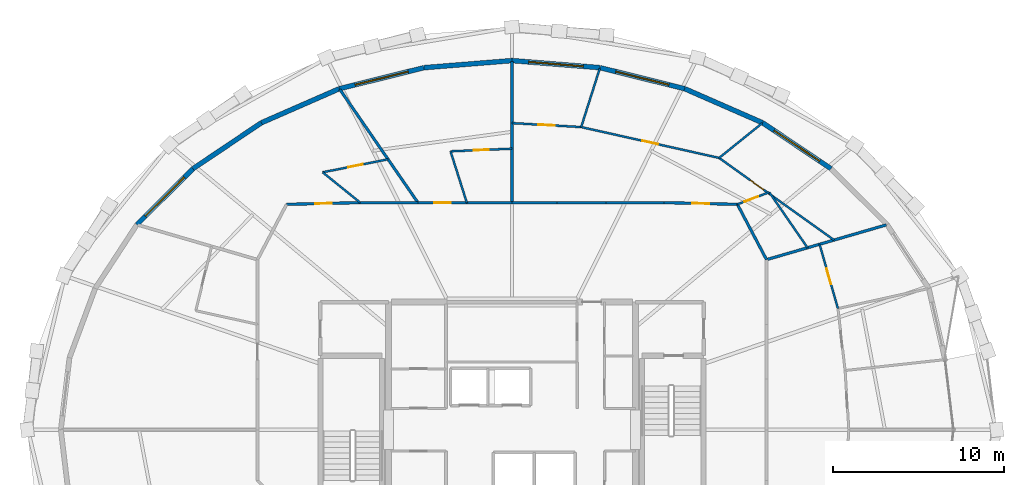
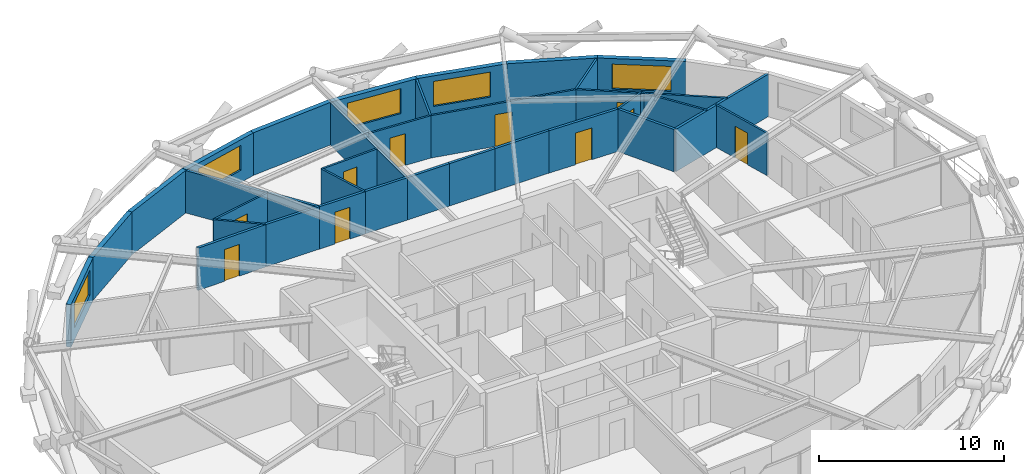
# One storey, part 18 of 20: 33 walls, 10 doors, 5 windows, 15 openings.
"""IFC4 building model written with IfcOpenShell, lengths in metres."""

import ifcopenshell
import ifcopenshell.guid

model = None  # the IFC model being written
_history = None  # IfcOwnerHistory: only IFC2X3 demands one
_inside = {}  # id of a spatial element -> (the spatial element, [elements in it])
_under = {}  # id of a project, library or spatial element -> (it, [spatial elements below it])
_declared = {}  # id of a project -> (the project, [libraries it declares])
_typed = {}  # id of a type object -> (the type object, [elements of that type])
_made_of = {}  # id of a material, layer set ... -> (it, [elements and type objects made of it])


def new_model(schema):
    """Start an empty IFC model of exactly this schema.

    Asked for "IFC4X3", IfcOpenShell would pick the latest addendum, in which some entities
    have other attributes; the version numbers below select the first issue.
    IFC2X3 requires an IfcOwnerHistory on every rooted entity: one is made here for all.
    """
    global model, _history
    if schema == "IFC4X3":
        model = ifcopenshell.file(schema_version=(4, 3, 0, 0))
    else:
        model = ifcopenshell.file(schema=schema)
    _inside.clear()
    _under.clear()
    _declared.clear()
    _typed.clear()
    _made_of.clear()
    _history = None
    if model.schema == "IFC2X3":
        org = make("IfcOrganization", Name="unknown")
        user = make(
            "IfcPersonAndOrganization",
            ThePerson=make("IfcPerson", FamilyName="unknown"),
            TheOrganization=org,
        )
        app = make(
            "IfcApplication",
            ApplicationDeveloper=org,
            Version="unknown",
            ApplicationFullName="unknown",
            ApplicationIdentifier="unknown",
        )
        _history = make(
            "IfcOwnerHistory",
            OwningUser=user,
            OwningApplication=app,
            ChangeAction="ADDED",
            CreationDate=0,
        )
    return model


def make(cls, **values):
    """One entity of the class cls with the attributes given. An attribute that is None is left unset."""
    return model.create_entity(
        cls, **{name: value for name, value in values.items() if value is not None}
    )


def rooted(cls, **values):
    """An entity with a GlobalId (a new one), such as an element, a storey or a relation."""
    return make(cls, GlobalId=ifcopenshell.guid.new(), OwnerHistory=_history, **values)


def si_unit(unit_type, name, prefix=None):
    """IfcSIUnit, for example si_unit("LENGTHUNIT", "METRE", prefix="MILLI")."""
    return make("IfcSIUnit", UnitType=unit_type, Prefix=prefix, Name=name)


def assignment(units):
    """IfcUnitAssignment: the units of a project."""
    return None if units is None else make("IfcUnitAssignment", Units=units)


def point(xyz):
    """IfcCartesianPoint."""
    return None if xyz is None else make("IfcCartesianPoint", Coordinates=xyz)


def direction(xyz):
    """IfcDirection."""
    return None if xyz is None else make("IfcDirection", DirectionRatios=xyz)


def frame(location, z_axis=None, x_axis=None):
    """IfcAxis2Placement3D, a coordinate frame: its origin and axes. An axis left out is left unset."""
    return make(
        "IfcAxis2Placement3D",
        Location=point(location),
        Axis=direction(z_axis),
        RefDirection=direction(x_axis),
    )


def frame_2d(location, x_axis=None):
    """IfcAxis2Placement2D, a coordinate frame in the plane: its origin and x axis."""
    return make(
        "IfcAxis2Placement2D", Location=point(location), RefDirection=direction(x_axis)
    )


def origin():
    """The frame at (0, 0, 0) with its axes left unset."""
    return frame((0.0, 0.0, 0.0))


def place(relative_to, where):
    """IfcLocalPlacement: puts the frame where relative to a parent placement (None: the world)."""
    return make(
        "IfcLocalPlacement", PlacementRelTo=relative_to, RelativePlacement=where
    )


def context(
    kind, dimensions, precision=None, world=None, true_north=None, identifier=None
):
    """IfcGeometricRepresentationContext, for example the 3D "Model" context."""
    return make(
        "IfcGeometricRepresentationContext",
        ContextIdentifier=identifier,
        ContextType=kind,
        CoordinateSpaceDimension=dimensions,
        Precision=precision,
        WorldCoordinateSystem=world,
        TrueNorth=true_north,
    )


def subcontext(parent, identifier, kind, view, scale=None):
    """IfcGeometricRepresentationSubContext, for example "Body" below "Model"."""
    return make(
        "IfcGeometricRepresentationSubContext",
        ContextIdentifier=identifier,
        ContextType=kind,
        ParentContext=parent,
        TargetScale=scale,
        TargetView=view,
    )


def project(units=None, contexts=None):
    """IfcProject with its units and contexts."""
    return rooted(
        "IfcProject",
        Name="project",
        RepresentationContexts=contexts,
        UnitsInContext=assignment(units),
    )


def spatial(cls, under=None, at=None, **own):
    """A site, building, storey or space (cls), placed at a placement, below another one or the project."""
    s = rooted(cls, ObjectPlacement=at, **own)
    if under is not None:
        _under.setdefault(under.id(), (under, []))[1].append(s)
    return s


def profile(cls, at=None, kind="AREA", **sizes):
    """A parametric profile (cls). Its sizes go by their IFC names, for example OverallWidth=200.0."""
    return make(cls, ProfileType=kind, Position=at, **sizes)


def rectangle(**sizes):
    """IfcRectangleProfileDef."""
    return profile("IfcRectangleProfileDef", **sizes)


def extrude(swept, where, along, depth):
    """IfcExtrudedAreaSolid: the profile swept, set in the frame where, extruded along a direction by depth."""
    return make(
        "IfcExtrudedAreaSolid",
        SweptArea=swept,
        Position=where,
        ExtrudedDirection=direction(along),
        Depth=depth,
    )


def shape(context_of_items, identifier, shape_type, items):
    """IfcShapeRepresentation: the items that make up one representation, for example the "Body"."""
    return make(
        "IfcShapeRepresentation",
        ContextOfItems=context_of_items,
        RepresentationIdentifier=identifier,
        RepresentationType=shape_type,
        Items=items,
    )


def material(Name=None, Category=None):
    """IfcMaterial."""
    return make("IfcMaterial", Name=Name, Category=Category)


def layer(
    of_material, thickness, ventilated=None, Name=None, Category=None, Priority=None
):
    """IfcMaterialLayer: one layer of a wall or slab, of a material (None: an air gap)."""
    return make(
        "IfcMaterialLayer",
        Material=of_material,
        LayerThickness=thickness,
        IsVentilated=ventilated,
        Name=Name,
        Category=Category,
        Priority=Priority,
    )


def layer_set(layers, Name=None):
    """IfcMaterialLayerSet."""
    return make("IfcMaterialLayerSet", MaterialLayers=layers, LayerSetName=Name)


def made_of(thing, what):
    """Note that an element or type object is made of a material, layer set ...; save() writes the relation."""
    if what is not None:
        _made_of.setdefault(what.id(), (what, []))[1].append(thing)
    return thing


def type_object(cls, material=None, **own):
    """A type object (cls), such as IfcWallType, which elements share."""
    return made_of(rooted(cls, **own), material)


def element(
    cls,
    number,
    at=None,
    inside=None,
    cuts=None,
    type_object=None,
    material=None,
    context=None,
    identifier="Body",
    shape_type=None,
    held_by="IfcProductDefinitionShape",
    body=None,
    shapes=None,
    **own,
):
    """One element of the class cls, such as IfcWall. Its Tag is "e" and its number.

    at: its placement. inside: the storey or other place that contains it. cuts: it is an
    opening in that element (IfcRelVoidsElement). A single representation is given by context,
    identifier, shape_type and body (its items); several are given by shapes. held_by: the class
    of the entity that holds the representations. save() writes the other relations.
    """
    e = rooted(cls, Tag="e%d" % number, ObjectPlacement=at, **own)
    if body is not None:
        shapes = [shape(context, identifier, shape_type, body)]
    if shapes is not None:
        e.Representation = make(held_by, Representations=shapes)
    if inside is not None:
        _inside.setdefault(inside.id(), (inside, []))[1].append(e)
    if cuts is not None:
        rooted(
            "IfcRelVoidsElement", RelatingBuildingElement=cuts, RelatedOpeningElement=e
        )
    if type_object is not None:
        _typed.setdefault(type_object.id(), (type_object, []))[1].append(e)
    return made_of(e, material)


def fill(opening, filler):
    """IfcRelFillsElement: the door or window that sits in an opening."""
    return rooted(
        "IfcRelFillsElement",
        RelatingOpeningElement=opening,
        RelatedBuildingElement=filler,
    )


def aggregate(whole, parts):
    """IfcRelAggregates: a whole, such as a stair, and the parts it consists of."""
    return rooted("IfcRelAggregates", RelatingObject=whole, RelatedObjects=parts)


def save(model, path):
    """Write the relations noted so far, then the file.

    IfcRelAggregates (storeys below a building ...), IfcRelContainedInSpatialStructure (elements
    in a storey), IfcRelDefinesByType, IfcRelAssociatesMaterial and IfcRelDeclares: one each for
    every whole, place, type object, material and project.
    """
    for whole, parts in _under.values():
        aggregate(whole, parts)
    for where, things in _inside.values():
        rooted(
            "IfcRelContainedInSpatialStructure",
            RelatedElements=things,
            RelatingStructure=where,
        )
    for kind, things in _typed.values():
        rooted("IfcRelDefinesByType", RelatedObjects=things, RelatingType=kind)
    for what, things in _made_of.values():
        rooted("IfcRelAssociatesMaterial", RelatedObjects=things, RelatingMaterial=what)
    for by, libraries in _declared.values():
        rooted("IfcRelDeclares", RelatingContext=by, RelatedDefinitions=libraries)
    model.write(path)


model = new_model("IFC4")

# Units and contexts
model_context = context("Model", 3, precision=1e-05, world=origin(), true_north=direction((0.0, 1.0)))
body_context = subcontext(model_context, "Body", "Model", "MODEL_VIEW")
ifc_project = project(units=[si_unit("LENGTHUNIT", "METRE"), si_unit("AREAUNIT", "SQUARE_METRE"), si_unit("VOLUMEUNIT", "CUBIC_METRE"), si_unit("PLANEANGLEUNIT", "RADIAN"), si_unit("MASSUNIT", "GRAM", prefix="KILO")], contexts=[model_context])

# Site, building, storey
site_placement = place(None, origin())
site = spatial("IfcSite", under=ifc_project, at=site_placement, CompositionType="ELEMENT")
building_placement = place(site_placement, origin())
building = spatial("IfcBuilding", under=site, at=building_placement, Name="Veldorina Hangang Commons", CompositionType="ELEMENT")
storey_placement = place(building_placement, frame((0.0, 0.0, 153.199951171875)))
storey = spatial("IfcBuildingStorey", under=building, at=storey_placement, Name="L39", CompositionType="ELEMENT", Elevation=153.199951171875)

# Wall, opening, window
ifc_material_1 = material(Name="Stone Roman Travertine", Category="masonry")
ifc_layer_1 = layer(ifc_material_1, 0.280029296875)
ifc_layer_set_1 = layer_set([ifc_layer_1], Name="Stone Roman Travertine")
wall_type_1 = type_object("IfcWallType", Name="EW-TRAV-280", PredefinedType="STANDARD", material=ifc_layer_set_1)
wall_1_placement = place(storey_placement, frame((50.611572265625, 39.228515625, 0.0), z_axis=(0.0, 0.0, 1.0), x_axis=(-0.830192910363, 0.557476216158, 0.0)))
wall_1 = element("IfcWall", 1, at=wall_1_placement, inside=storey, type_object=wall_type_1, Name="L39 travertine facade wall 04", PredefinedType="STANDARD", context=body_context, shape_type="SweptSolid", body=[
    extrude(rectangle(XDim=4.8046875, YDim=0.280029296875, at=frame_2d((2.40234375, 0.0))), origin(), (0.0, 0.0, 1.0), 2.820068359375),
])
opening_1_placement = place(wall_1_placement, frame((0.80224609375, 0.0, 0.800048828125)))
opening_1 = element("IfcOpeningElement", 2, at=opening_1_placement, cuts=wall_1, Name="Opening W-01", PredefinedType="OPENING", context=body_context, shape_type="SweptSolid", body=[
    extrude(rectangle(XDim=3.199951171875, YDim=1.64990234375, at=frame_2d((1.60009765625, 0.824951171875))), frame((0.0, 0.14990234375, 0.0), z_axis=(0.0, -1.0, 0.0), x_axis=(1.0, 0.0, 0.0)), (0.0, 0.0, 1.0), 0.300048828125),
])
ifc_material_2 = material(Name="Glass Low-E Triple IGU", Category="glass")
window_type = type_object("IfcWindowType", Name="WIN-TWR-3200", PartitioningType="SINGLE_PANEL", PredefinedType="WINDOW", material=ifc_material_2)
window_1_placement = place(opening_1_placement, origin())
window_1 = element("IfcWindow", 3, at=window_1_placement, inside=storey, type_object=window_type, Name="L39 facade window 04", OverallHeight=1.64990234375, OverallWidth=3.199951171875, PartitioningType="SINGLE_PANEL", PredefinedType="WINDOW", context=body_context, shape_type="SweptSolid", body=[
    extrude(rectangle(XDim=3.199951171875, YDim=1.64990234375, at=frame_2d((1.60009765625, 0.824951171875))), frame((0.0, 0.030029296875, 0.0), z_axis=(0.0, -1.0, 0.0), x_axis=(1.0, 0.0, 0.0)), (0.0, 0.0, 1.0), 0.06005859375),
])
fill(opening_1, window_1)

# Wall
wall_2_placement = place(storey_placement, frame((46.622802734375, 41.906982421875, 0.0), z_axis=(0.0, 0.0, 1.0), x_axis=(-0.916213737075, 0.400689890058, 0.0)))
element("IfcWall", 4, at=wall_2_placement, inside=storey, type_object=wall_type_1, Name="L39 travertine facade wall 05", PredefinedType="STANDARD", context=body_context, shape_type="SweptSolid", body=[
    extrude(rectangle(XDim=4.96630859375, YDim=0.280029296875, at=frame_2d((2.483154296875, 0.0))), origin(), (0.0, 0.0, 1.0), 2.820068359375),
])

# Wall, opening, window
wall_3_placement = place(storey_placement, frame((42.072509765625, 43.89697265625, 0.0), z_axis=(0.0, 0.0, 1.0), x_axis=(-0.970547640146, 0.24090927381, 0.0)))
wall_3 = element("IfcWall", 5, at=wall_3_placement, inside=storey, type_object=wall_type_1, Name="L39 travertine facade wall 06", PredefinedType="STANDARD", context=body_context, shape_type="SweptSolid", body=[
    extrude(rectangle(XDim=5.08740234375, YDim=0.280029296875, at=frame_2d((2.543701171875, 0.0))), origin(), (0.0, 0.0, 1.0), 2.820068359375),
])
opening_2_placement = place(wall_3_placement, frame((0.943603515625, 0.0, 0.800048828125)))
opening_2 = element("IfcOpeningElement", 6, at=opening_2_placement, cuts=wall_3, Name="Opening W-01", PredefinedType="OPENING", context=body_context, shape_type="SweptSolid", body=[
    extrude(rectangle(XDim=3.199951171875, YDim=1.64990234375, at=frame_2d((1.60009765625, 0.824951171875))), frame((0.0, 0.14990234375, 0.0), z_axis=(0.0, -1.0, 0.0), x_axis=(1.0, 0.0, 0.0)), (0.0, 0.0, 1.0), 0.300048828125),
])
window_2_placement = place(opening_2_placement, origin())
window_2 = element("IfcWindow", 7, at=window_2_placement, inside=storey, type_object=window_type, Name="L39 facade window 06", OverallHeight=1.64990234375, OverallWidth=3.199951171875, PartitioningType="SINGLE_PANEL", PredefinedType="WINDOW", context=body_context, shape_type="SweptSolid", body=[
    extrude(rectangle(XDim=3.199951171875, YDim=1.64990234375, at=frame_2d((1.60009765625, 0.824951171875))), frame((0.0, 0.030029296875, 0.0), z_axis=(0.0, -1.0, 0.0), x_axis=(1.0, 0.0, 0.0)), (0.0, 0.0, 1.0), 0.06005859375),
])
fill(opening_2, window_2)

wall_4_placement = place(storey_placement, frame((37.135009765625, 45.12255859375, 0.0), z_axis=(0.0, 0.0, 1.0), x_axis=(-0.996768546693, 0.08032723276, 0.0)))
wall_4 = element("IfcWall", 8, at=wall_4_placement, inside=storey, type_object=wall_type_1, Name="L39 travertine facade wall 07", PredefinedType="STANDARD", context=body_context, shape_type="SweptSolid", body=[
    extrude(rectangle(XDim=5.151611328125, YDim=0.280029296875, at=frame_2d((2.57568359375, 0.0))), origin(), (0.0, 0.0, 1.0), 2.820068359375),
])
opening_3_placement = place(wall_4_placement, frame((0.975830078125, 0.0, 0.800048828125)))
opening_3 = element("IfcOpeningElement", 9, at=opening_3_placement, cuts=wall_4, Name="Opening W-01", PredefinedType="OPENING", context=body_context, shape_type="SweptSolid", body=[
    extrude(rectangle(XDim=3.199951171875, YDim=1.64990234375, at=frame_2d((1.60009765625, 0.824951171875))), frame((0.0, 0.14990234375, 0.0), z_axis=(0.0, -1.0, 0.0), x_axis=(1.0, 0.0, 0.0)), (0.0, 0.0, 1.0), 0.300048828125),
])
window_3_placement = place(opening_3_placement, origin())
window_3 = element("IfcWindow", 10, at=window_3_placement, inside=storey, type_object=window_type, Name="L39 facade window 07", OverallHeight=1.64990234375, OverallWidth=3.199951171875, PartitioningType="SINGLE_PANEL", PredefinedType="WINDOW", context=body_context, shape_type="SweptSolid", body=[
    extrude(rectangle(XDim=3.199951171875, YDim=1.64990234375, at=frame_2d((1.60009765625, 0.824951171875))), frame((0.0, 0.030029296875, 0.0), z_axis=(0.0, -1.0, 0.0), x_axis=(1.0, 0.0, 0.0)), (0.0, 0.0, 1.0), 0.06005859375),
])
fill(opening_3, window_3)

# Wall
wall_5_placement = place(storey_placement, frame((32.0, 45.536376953125, 0.0), z_axis=(0.0, 0.0, 1.0), x_axis=(-0.996768546693, -0.08032723276, 0.0)))
element("IfcWall", 11, at=wall_5_placement, inside=storey, type_object=wall_type_1, Name="L39 travertine facade wall 08", PredefinedType="STANDARD", context=body_context, shape_type="SweptSolid", body=[
    extrude(rectangle(XDim=5.151611328125, YDim=0.280029296875, at=frame_2d((2.57568359375, 0.0))), origin(), (0.0, 0.0, 1.0), 2.820068359375),
])

# Wall, opening, window
wall_6_placement = place(storey_placement, frame((26.864990234375, 45.12255859375, 0.0), z_axis=(0.0, 0.0, 1.0), x_axis=(-0.970547640146, -0.24090927381, 0.0)))
wall_6 = element("IfcWall", 12, at=wall_6_placement, inside=storey, type_object=wall_type_1, Name="L39 travertine facade wall 09", PredefinedType="STANDARD", context=body_context, shape_type="SweptSolid", body=[
    extrude(rectangle(XDim=5.08740234375, YDim=0.280029296875, at=frame_2d((2.543701171875, 0.0))), origin(), (0.0, 0.0, 1.0), 2.820068359375),
])
opening_4_placement = place(wall_6_placement, frame((0.943603515625, 0.0, 0.800048828125)))
opening_4 = element("IfcOpeningElement", 13, at=opening_4_placement, cuts=wall_6, Name="Opening W-01", PredefinedType="OPENING", context=body_context, shape_type="SweptSolid", body=[
    extrude(rectangle(XDim=3.199951171875, YDim=1.64990234375, at=frame_2d((1.60009765625, 0.824951171875))), frame((0.0, 0.14990234375, 0.0), z_axis=(0.0, -1.0, 0.0), x_axis=(1.0, 0.0, 0.0)), (0.0, 0.0, 1.0), 0.300048828125),
])
window_4_placement = place(opening_4_placement, origin())
window_4 = element("IfcWindow", 14, at=window_4_placement, inside=storey, type_object=window_type, Name="L39 facade window 09", OverallHeight=1.64990234375, OverallWidth=3.199951171875, PartitioningType="SINGLE_PANEL", PredefinedType="WINDOW", context=body_context, shape_type="SweptSolid", body=[
    extrude(rectangle(XDim=3.199951171875, YDim=1.64990234375, at=frame_2d((1.60009765625, 0.824951171875))), frame((0.0, 0.030029296875, 0.0), z_axis=(0.0, -1.0, 0.0), x_axis=(1.0, 0.0, 0.0)), (0.0, 0.0, 1.0), 0.06005859375),
])
fill(opening_4, window_4)

# Walls
wall_7_placement = place(storey_placement, frame((21.927490234375, 43.89697265625, 0.0), z_axis=(0.0, 0.0, 1.0), x_axis=(-0.916213737075, -0.400689890058, 0.0)))
element("IfcWall", 15, at=wall_7_placement, inside=storey, type_object=wall_type_1, Name="L39 travertine facade wall 10", PredefinedType="STANDARD", context=body_context, shape_type="SweptSolid", body=[
    extrude(rectangle(XDim=4.96630859375, YDim=0.280029296875, at=frame_2d((2.483154296875, 0.0))), origin(), (0.0, 0.0, 1.0), 2.820068359375),
])
wall_8_placement = place(storey_placement, frame((17.377197265625, 41.906982421875, 0.0), z_axis=(0.0, 0.0, 1.0), x_axis=(-0.830192910363, -0.557476216158, 0.0)))
element("IfcWall", 16, at=wall_8_placement, inside=storey, type_object=wall_type_1, Name="L39 travertine facade wall 11", PredefinedType="STANDARD", context=body_context, shape_type="SweptSolid", body=[
    extrude(rectangle(XDim=4.8046875, YDim=0.280029296875, at=frame_2d((2.40234375, 0.0))), origin(), (0.0, 0.0, 1.0), 2.820068359375),
])

# Wall, opening, window
wall_9_placement = place(storey_placement, frame((13.388427734375, 39.228515625, 0.0), z_axis=(0.0, 0.0, 1.0), x_axis=(-0.708162399008, -0.706049585108, 0.0)))
wall_9 = element("IfcWall", 17, at=wall_9_placement, inside=storey, type_object=wall_type_1, Name="L39 travertine facade wall 12", PredefinedType="STANDARD", context=body_context, shape_type="SweptSolid", body=[
    extrude(rectangle(XDim=4.6220703125, YDim=0.280029296875, at=frame_2d((2.31103515625, 0.0))), origin(), (0.0, 0.0, 1.0), 2.820068359375),
])
opening_5_placement = place(wall_9_placement, frame((0.711181640625, 0.0, 0.800048828125)))
opening_5 = element("IfcOpeningElement", 18, at=opening_5_placement, cuts=wall_9, Name="Opening W-01", PredefinedType="OPENING", context=body_context, shape_type="SweptSolid", body=[
    extrude(rectangle(XDim=3.199951171875, YDim=1.64990234375, at=frame_2d((1.60009765625, 0.824951171875))), frame((0.0, 0.14990234375, 0.0), z_axis=(0.0, -1.0, 0.0), x_axis=(1.0, 0.0, 0.0)), (0.0, 0.0, 1.0), 0.300048828125),
])
window_5_placement = place(opening_5_placement, origin())
window_5 = element("IfcWindow", 19, at=window_5_placement, inside=storey, type_object=window_type, Name="L39 facade window 12", OverallHeight=1.64990234375, OverallWidth=3.199951171875, PartitioningType="SINGLE_PANEL", PredefinedType="WINDOW", context=body_context, shape_type="SweptSolid", body=[
    extrude(rectangle(XDim=3.199951171875, YDim=1.64990234375, at=frame_2d((1.60009765625, 0.824951171875))), frame((0.0, 0.030029296875, 0.0), z_axis=(0.0, -1.0, 0.0), x_axis=(1.0, 0.0, 0.0)), (0.0, 0.0, 1.0), 0.06005859375),
])
fill(opening_5, window_5)

# Wall
ifc_material_3 = material(Name="Gypsum Fire-Rated Twin Stud Wall", Category="gypsum")
ifc_layer_2 = layer(ifc_material_3, 0.159912109375)
ifc_layer_set_2 = layer_set([ifc_layer_2], Name="Gypsum Fire-Rated Twin Stud Wall")
wall_type_2 = type_object("IfcWallType", Name="WL-FIRE-160", PredefinedType="SOLIDWALL", material=ifc_layer_set_2)
wall_10_placement = place(storey_placement, frame((46.85009765625, 33.922607421875, 0.0), z_axis=(0.0, 0.0, 1.0), x_axis=(-0.466093963429, 0.884735224378, 0.0)))
element("IfcWall", 20, at=wall_10_placement, inside=storey, type_object=wall_type_2, Name="L39 U-corridor outer wall 03 049", PredefinedType="SOLIDWALL", context=body_context, shape_type="SweptSolid", body=[
    extrude(rectangle(XDim=3.647705078125, YDim=0.159912109375, at=frame_2d((1.82373046875, 0.0))), origin(), (0.0, 0.0, 1.0), 2.800048828125),
])

# Wall, opening, door
wall_11_placement = place(storey_placement, frame((45.14990234375, 37.14990234375, 0.0), z_axis=(0.0, 0.0, 1.0), x_axis=(-0.999728709658, 0.023291781507, 0.0)))
wall_11 = element("IfcWall", 21, at=wall_11_placement, inside=storey, type_object=wall_type_2, Name="L39 U-corridor outer wall 04 050", PredefinedType="SOLIDWALL", context=body_context, shape_type="SweptSolid", body=[
    extrude(rectangle(XDim=4.297607421875, YDim=0.159912109375, at=frame_2d((2.14892578125, 0.0))), origin(), (0.0, 0.0, 1.0), 2.800048828125),
])
opening_6_placement = place(wall_11_placement, frame((1.64892578125, 0.0, 0.0)))
opening_6 = element("IfcOpeningElement", 22, at=opening_6_placement, cuts=wall_11, Name="Opening D-06", PredefinedType="OPENING", context=body_context, shape_type="SweptSolid", body=[
    extrude(rectangle(XDim=1.0, YDim=2.10009765625, at=frame_2d((0.5, 1.050048828125))), frame((0.0, 0.08984375, 0.0), z_axis=(0.0, -1.0, 0.0), x_axis=(1.0, 0.0, 0.0)), (0.0, 0.0, 1.0), 0.179931640625),
])
ifc_material_4 = material(Name="Timber Fire-Rated Entrance Core", Category="wood")
door_type_1 = type_object("IfcDoorType", Name="DR-UNIT-1000", OperationType="SINGLE_SWING_LEFT", PredefinedType="DOOR", material=ifc_material_4)
door_1_placement = place(opening_6_placement, origin())
door_1 = element("IfcDoor", 23, at=door_1_placement, inside=storey, type_object=door_type_1, Name="L39 Cluster 3 entrance door 029", OperationType="SINGLE_SWING_LEFT", OverallHeight=2.10009765625, OverallWidth=1.0, PredefinedType="DOOR", context=body_context, shape_type="SweptSolid", body=[
    extrude(rectangle(XDim=1.0, YDim=2.10009765625, at=frame_2d((0.5, 1.050048828125))), frame((0.0, 0.02490234375, 0.0), z_axis=(0.0, -1.0, 0.0), x_axis=(1.0, 0.0, 0.0)), (0.0, 0.0, 1.0), 0.050048828125),
])
fill(opening_6, door_1)

# Walls
wall_12_placement = place(storey_placement, frame((40.853515625, 37.25, 0.0), z_axis=(0.0, 0.0, 1.0), x_axis=(-1.0, 0.0, 0.0)))
element("IfcWall", 24, at=wall_12_placement, inside=storey, type_object=wall_type_2, Name="L39 U-corridor outer wall 05 051", PredefinedType="SOLIDWALL", context=body_context, shape_type="SweptSolid", body=[
    extrude(rectangle(XDim=3.365234375, YDim=0.159912109375, at=frame_2d((1.6826171875, 0.0))), origin(), (0.0, 0.0, 1.0), 2.800048828125),
])
wall_13_placement = place(storey_placement, frame((37.48828125, 37.25, 0.0), z_axis=(0.0, 0.0, 1.0), x_axis=(-1.0, 0.0, 0.0)))
element("IfcWall", 25, at=wall_13_placement, inside=storey, type_object=wall_type_2, Name="L39 U-corridor outer wall 06 052", PredefinedType="SOLIDWALL", context=body_context, shape_type="SweptSolid", body=[
    extrude(rectangle(XDim=2.852783203125, YDim=0.159912109375, at=frame_2d((1.42626953125, 0.0))), origin(), (0.0, 0.0, 1.0), 2.800048828125),
])
for number, where, z_axis, x_axis, name in (
    (26, (34.635498046875, 37.25, 0.0), (0.0, 0.0, 1.0), (-1.0, 0.0, 0.0), "L39 U-corridor outer wall 07 053"),
    (27, (32.0, 37.25, 0.0), (0.0, 0.0, 1.0), (-1.0, 0.0, 0.0), "L39 U-corridor outer wall 08 054"),
):
    element("IfcWall", number, at=place(storey_placement, frame(where, z_axis=z_axis, x_axis=x_axis)), inside=storey, type_object=wall_type_2, Name=name, PredefinedType="SOLIDWALL", context=body_context, shape_type="SweptSolid", body=[
        extrude(rectangle(XDim=2.635498046875, YDim=0.159912109375, at=frame_2d((1.31787109375, 0.0))), origin(), (0.0, 0.0, 1.0), 2.800048828125),
    ])

# Wall, opening, door
wall_14_placement = place(storey_placement, frame((29.364501953125, 37.25, 0.0), z_axis=(0.0, 0.0, 1.0), x_axis=(-1.0, 0.0, 0.0)))
wall_14 = element("IfcWall", 28, at=wall_14_placement, inside=storey, type_object=wall_type_2, Name="L39 U-corridor outer wall 09 055", PredefinedType="SOLIDWALL", context=body_context, shape_type="SweptSolid", body=[
    extrude(rectangle(XDim=2.852783203125, YDim=0.159912109375, at=frame_2d((1.42626953125, 0.0))), origin(), (0.0, 0.0, 1.0), 2.800048828125),
])
opening_7_placement = place(wall_14_placement, frame((0.951416015625, 0.0, 0.0)))
opening_7 = element("IfcOpeningElement", 29, at=opening_7_placement, cuts=wall_14, Name="Opening D-03", PredefinedType="OPENING", context=body_context, shape_type="SweptSolid", body=[
    extrude(rectangle(XDim=0.949951171875, YDim=2.10009765625, at=frame_2d((0.47509765625, 1.050048828125))), frame((0.0, 0.08984375, 0.0), z_axis=(0.0, -1.0, 0.0), x_axis=(1.0, 0.0, 0.0)), (0.0, 0.0, 1.0), 0.179931640625),
])
door_type_2 = type_object("IfcDoorType", Name="DR-UNIT-950", OperationType="SINGLE_SWING_RIGHT", PredefinedType="DOOR", material=ifc_material_4)
door_2_placement = place(opening_7_placement, origin())
door_2 = element("IfcDoor", 30, at=door_2_placement, inside=storey, type_object=door_type_2, Name="L39 Studio 4 entrance door 034", OperationType="SINGLE_SWING_RIGHT", OverallHeight=2.10009765625, OverallWidth=0.949951171875, PredefinedType="DOOR", context=body_context, shape_type="SweptSolid", body=[
    extrude(rectangle(XDim=0.949951171875, YDim=2.10009765625, at=frame_2d((0.47509765625, 1.050048828125))), frame((0.0, 0.02490234375, 0.0), z_axis=(0.0, -1.0, 0.0), x_axis=(1.0, 0.0, 0.0)), (0.0, 0.0, 1.0), 0.050048828125),
])
fill(opening_7, door_2)

# Wall
wall_15_placement = place(storey_placement, frame((26.51171875, 37.25, 0.0), z_axis=(0.0, 0.0, 1.0), x_axis=(-1.0, 0.0, 0.0)))
element("IfcWall", 31, at=wall_15_placement, inside=storey, type_object=wall_type_2, Name="L39 U-corridor outer wall 10 056", PredefinedType="SOLIDWALL", context=body_context, shape_type="SweptSolid", body=[
    extrude(rectangle(XDim=3.365234375, YDim=0.159912109375, at=frame_2d((1.6826171875, 0.0))), origin(), (0.0, 0.0, 1.0), 2.800048828125),
])

# Wall, opening, door
wall_16_placement = place(storey_placement, frame((23.146484375, 37.25, 0.0), z_axis=(0.0, 0.0, 1.0), x_axis=(-0.999728709658, -0.023291781507, 0.0)))
wall_16 = element("IfcWall", 32, at=wall_16_placement, inside=storey, type_object=wall_type_2, Name="L39 U-corridor outer wall 11 057", PredefinedType="SOLIDWALL", context=body_context, shape_type="SweptSolid", body=[
    extrude(rectangle(XDim=4.297607421875, YDim=0.159912109375, at=frame_2d((2.14892578125, 0.0))), origin(), (0.0, 0.0, 1.0), 2.800048828125),
])
opening_8_placement = place(wall_16_placement, frame((1.673828125, 0.0, 0.0)))
opening_8 = element("IfcOpeningElement", 33, at=opening_8_placement, cuts=wall_16, Name="Opening D-03", PredefinedType="OPENING", context=body_context, shape_type="SweptSolid", body=[
    extrude(rectangle(XDim=0.949951171875, YDim=2.10009765625, at=frame_2d((0.47509765625, 1.050048828125))), frame((0.0, 0.08984375, 0.0), z_axis=(0.0, -1.0, 0.0), x_axis=(1.0, 0.0, 0.0)), (0.0, 0.0, 1.0), 0.179931640625),
])
door_3_placement = place(opening_8_placement, origin())
door_3 = element("IfcDoor", 34, at=door_3_placement, inside=storey, type_object=door_type_2, Name="L39 Studio 5 entrance door 036", OperationType="SINGLE_SWING_RIGHT", OverallHeight=2.10009765625, OverallWidth=0.949951171875, PredefinedType="DOOR", context=body_context, shape_type="SweptSolid", body=[
    extrude(rectangle(XDim=0.949951171875, YDim=2.10009765625, at=frame_2d((0.47509765625, 1.050048828125))), frame((0.0, 0.02490234375, 0.0), z_axis=(0.0, -1.0, 0.0), x_axis=(1.0, 0.0, 0.0)), (0.0, 0.0, 1.0), 0.050048828125),
])
fill(opening_8, door_3)

# Walls
wall_17_placement = place(storey_placement, frame((46.85009765625, 33.922607421875, 0.0), z_axis=(0.0, 0.0, 1.0), x_axis=(0.960341299292, 0.278827166672, 0.0)))
element("IfcWall", 35, at=wall_17_placement, inside=storey, type_object=wall_type_2, Name="L39 Unit party wall 03 096", PredefinedType="SOLIDWALL", context=body_context, shape_type="SweptSolid", body=[
    extrude(rectangle(XDim=7.275390625, YDim=0.159912109375, at=frame_2d((3.6376953125, 0.0))), origin(), (0.0, 0.0, 1.0), 2.800048828125),
])
wall_18_placement = place(storey_placement, frame((32.0, 37.25, 0.0), z_axis=(0.0, 0.0, 1.0), x_axis=(0.0, 1.0, 0.0)))
element("IfcWall", 36, at=wall_18_placement, inside=storey, type_object=wall_type_2, Name="L39 Unit party wall 08 104", PredefinedType="SOLIDWALL", context=body_context, shape_type="SweptSolid", body=[
    extrude(rectangle(XDim=8.236328125, YDim=0.159912109375, at=frame_2d((4.1181640625, 0.0))), origin(), (0.0, 0.0, 1.0), 2.800048828125),
])
wall_19_placement = place(storey_placement, frame((26.51171875, 37.25, 0.0), z_axis=(0.0, 0.0, 1.0), x_axis=(-0.567753573751, 0.82319856626, 0.0)))
element("IfcWall", 37, at=wall_19_placement, inside=storey, type_object=wall_type_2, Name="L39 Unit party wall 10 107", PredefinedType="SOLIDWALL", context=body_context, shape_type="SweptSolid", body=[
    extrude(rectangle(XDim=8.0244140625, YDim=0.159912109375, at=frame_2d((4.01220703125, 0.0))), origin(), (0.0, 0.0, 1.0), 2.800048828125),
])

# Wall, opening, door
ifc_material_5 = material(Name="Gypsum Acoustic Stud Partition", Category="gypsum")
ifc_layer_3 = layer(ifc_material_5, 0.1201171875)
ifc_layer_set_3 = layer_set([ifc_layer_3], Name="Gypsum Acoustic Stud Partition")
wall_type_3 = type_object("IfcWallType", Name="WL-PART-120", PredefinedType="PARTITIONING", material=ifc_layer_set_3)
wall_20_placement = place(storey_placement, frame((51.015380859375, 31.07080078125, 0.0), z_axis=(0.0, 0.0, 1.0), x_axis=(-0.27436560158, 0.961625455502, 0.0)))
wall_20 = element("IfcWall", 38, at=wall_20_placement, inside=storey, type_object=wall_type_3, Name="L39 Cluster 2 bed 6 front wall 094", PredefinedType="PARTITIONING", context=body_context, shape_type="SweptSolid", body=[
    extrude(rectangle(XDim=3.900146484375, YDim=0.1201171875, at=frame_2d((1.9501953125, 0.0))), origin(), (0.0, 0.0, 1.0), 2.800048828125),
])
opening_9_placement = place(wall_20_placement, frame((1.47509765625, 0.0, 0.0)))
opening_9 = element("IfcOpeningElement", 39, at=opening_9_placement, cuts=wall_20, Name="Opening D-02", PredefinedType="OPENING", context=body_context, shape_type="SweptSolid", body=[
    extrude(rectangle(XDim=0.949951171875, YDim=2.10009765625, at=frame_2d((0.47509765625, 1.050048828125))), frame((0.0, 0.070068359375, 0.0), z_axis=(0.0, -1.0, 0.0), x_axis=(1.0, 0.0, 0.0)), (0.0, 0.0, 1.0), 0.14013671875),
])
ifc_material_6 = material(Name="Timber Solid Core Acoustic", Category="wood")
door_type_3 = type_object("IfcDoorType", Name="DR-INT-950", OperationType="SINGLE_SWING_LEFT", PredefinedType="DOOR", material=ifc_material_6)
door_4_placement = place(opening_9_placement, origin())
door_4 = element("IfcDoor", 40, at=door_4_placement, inside=storey, type_object=door_type_3, Name="L39 Cluster 2 bed 6 door 027", OperationType="SINGLE_SWING_LEFT", OverallHeight=2.10009765625, OverallWidth=0.949951171875, PredefinedType="DOOR", context=body_context, shape_type="SweptSolid", body=[
    extrude(rectangle(XDim=0.949951171875, YDim=2.10009765625, at=frame_2d((0.47509765625, 1.050048828125))), frame((0.0, 0.02490234375, 0.0), z_axis=(0.0, -1.0, 0.0), x_axis=(1.0, 0.0, 0.0)), (0.0, 0.0, 1.0), 0.050048828125),
])
fill(opening_9, door_4)

# Wall
wall_21_placement = place(storey_placement, frame((49.24169921875, 34.616943359375, 0.0), z_axis=(0.0, 0.0, 1.0), x_axis=(-0.567828622135, 0.823146800932, 0.0)))
element("IfcWall", 41, at=wall_21_placement, inside=storey, type_object=wall_type_3, Name="L39 Cluster 3 bath front wall 097", PredefinedType="PARTITIONING", context=body_context, shape_type="SweptSolid", body=[
    extrude(rectangle(XDim=3.935791015625, YDim=0.1201171875, at=frame_2d((1.9677734375, 0.0))), origin(), (0.0, 0.0, 1.0), 2.800048828125),
])

# Wall, opening, door
wall_22_placement = place(storey_placement, frame((45.14990234375, 37.14990234375, 0.0), z_axis=(0.0, 0.0, 1.0), x_axis=(0.934590862424, 0.355724499963, 0.0)))
wall_22 = element("IfcWall", 42, at=wall_22_placement, inside=storey, type_object=wall_type_3, Name="L39 Cluster 3 bath side wall 098", PredefinedType="PARTITIONING", context=body_context, shape_type="SweptSolid", body=[
    extrude(rectangle(XDim=1.98681640625, YDim=0.1201171875, at=frame_2d((0.993408203125, 0.0))), origin(), (0.0, 0.0, 1.0), 2.800048828125),
])
opening_10_placement = place(wall_22_placement, frame((0.43994140625, 0.0, 0.0)))
opening_10 = element("IfcOpeningElement", 43, at=opening_10_placement, cuts=wall_22, Name="Opening D-01", PredefinedType="OPENING", context=body_context, shape_type="SweptSolid", body=[
    extrude(rectangle(XDim=0.860107421875, YDim=2.10009765625, at=frame_2d((0.43017578125, 1.050048828125))), frame((0.0, 0.070068359375, 0.0), z_axis=(0.0, -1.0, 0.0), x_axis=(1.0, 0.0, 0.0)), (0.0, 0.0, 1.0), 0.14013671875),
])
ifc_material_7 = material(Name="Timber Moisture-Resistant Core", Category="wood")
door_type_4 = type_object("IfcDoorType", Name="DR-WET-860", OperationType="SINGLE_SWING_LEFT", PredefinedType="DOOR", material=ifc_material_7)
door_5_placement = place(opening_10_placement, origin())
door_5 = element("IfcDoor", 44, at=door_5_placement, inside=storey, type_object=door_type_4, Name="L39 Cluster 3 shared bathroom door 028", OperationType="SINGLE_SWING_RIGHT", OverallHeight=2.10009765625, OverallWidth=0.860107421875, PredefinedType="DOOR", context=body_context, shape_type="SweptSolid", body=[
    extrude(rectangle(XDim=0.860107421875, YDim=2.10009765625, at=frame_2d((0.43017578125, 1.050048828125))), frame((0.0, 0.02490234375, 0.0), z_axis=(0.0, -1.0, 0.0), x_axis=(1.0, 0.0, 0.0)), (0.0, 0.0, 1.0), 0.050048828125),
])
fill(opening_10, door_5)

wall_23_placement = place(storey_placement, frame((50.78955078125, 35.06640625, 0.0), z_axis=(0.0, 0.0, 1.0), x_axis=(-0.81361936363, 0.581397911182, 0.0)))
wall_23 = element("IfcWall", 45, at=wall_23_placement, inside=storey, type_object=wall_type_3, Name="L39 Cluster 3 bed 1 front wall 099", PredefinedType="PARTITIONING", context=body_context, shape_type="SweptSolid", body=[
    extrude(rectangle(XDim=8.241455078125, YDim=0.1201171875, at=frame_2d((4.12060546875, 0.0))), origin(), (0.0, 0.0, 1.0), 2.800048828125),
])
opening_11_placement = place(wall_23_placement, frame((5.05615234375, 0.0, 0.0)))
opening_11 = element("IfcOpeningElement", 46, at=opening_11_placement, cuts=wall_23, Name="Opening D-02", PredefinedType="OPENING", context=body_context, shape_type="SweptSolid", body=[
    extrude(rectangle(XDim=0.949951171875, YDim=2.10009765625, at=frame_2d((0.47509765625, 1.050048828125))), frame((0.0, 0.070068359375, 0.0), z_axis=(0.0, -1.0, 0.0), x_axis=(1.0, 0.0, 0.0)), (0.0, 0.0, 1.0), 0.14013671875),
])
door_6_placement = place(opening_11_placement, origin())
door_6 = element("IfcDoor", 47, at=door_6_placement, inside=storey, type_object=door_type_3, Name="L39 Cluster 3 bed 1 door 030", OperationType="SINGLE_SWING_RIGHT", OverallHeight=2.10009765625, OverallWidth=0.949951171875, PredefinedType="DOOR", context=body_context, shape_type="SweptSolid", body=[
    extrude(rectangle(XDim=0.949951171875, YDim=2.10009765625, at=frame_2d((0.47509765625, 1.050048828125))), frame((0.0, 0.02490234375, 0.0), z_axis=(0.0, -1.0, 0.0), x_axis=(1.0, 0.0, 0.0)), (0.0, 0.0, 1.0), 0.050048828125),
])
fill(opening_11, door_6)

wall_24_placement = place(storey_placement, frame((44.084228515625, 39.85791015625, 0.0), z_axis=(0.0, 0.0, 1.0), x_axis=(-0.975875435755, 0.218328041922, 0.0)))
wall_24 = element("IfcWall", 48, at=wall_24_placement, inside=storey, type_object=wall_type_3, Name="L39 Cluster 3 bed 2 front wall 100", PredefinedType="PARTITIONING", context=body_context, shape_type="SweptSolid", body=[
    extrude(rectangle(XDim=8.248046875, YDim=0.1201171875, at=frame_2d((4.1240234375, 0.0))), origin(), (0.0, 0.0, 1.0), 2.800048828125),
])
opening_12_placement = place(wall_24_placement, frame((3.649169921875, 0.0, 0.0)))
opening_12 = element("IfcOpeningElement", 49, at=opening_12_placement, cuts=wall_24, Name="Opening D-02", PredefinedType="OPENING", context=body_context, shape_type="SweptSolid", body=[
    extrude(rectangle(XDim=0.949951171875, YDim=2.10009765625, at=frame_2d((0.47509765625, 1.050048828125))), frame((0.0, 0.070068359375, 0.0), z_axis=(0.0, -1.0, 0.0), x_axis=(1.0, 0.0, 0.0)), (0.0, 0.0, 1.0), 0.14013671875),
])
door_7_placement = place(opening_12_placement, origin())
door_7 = element("IfcDoor", 50, at=door_7_placement, inside=storey, type_object=door_type_3, Name="L39 Cluster 3 bed 2 door 031", OperationType="SINGLE_SWING_LEFT", OverallHeight=2.10009765625, OverallWidth=0.949951171875, PredefinedType="DOOR", context=body_context, shape_type="SweptSolid", body=[
    extrude(rectangle(XDim=0.949951171875, YDim=2.10009765625, at=frame_2d((0.47509765625, 1.050048828125))), frame((0.0, 0.02490234375, 0.0), z_axis=(0.0, -1.0, 0.0), x_axis=(1.0, 0.0, 0.0)), (0.0, 0.0, 1.0), 0.050048828125),
])
fill(opening_12, door_7)

# Wall
wall_25_placement = place(storey_placement, frame((44.084228515625, 39.85791015625, 0.0), z_axis=(0.0, 0.0, 1.0), x_axis=(0.778162599701, 0.628062869804, 0.0)))
element("IfcWall", 51, at=wall_25_placement, inside=storey, type_object=wall_type_3, Name="L39 Cluster 3 bed divider 1 101", PredefinedType="PARTITIONING", context=body_context, shape_type="SweptSolid", body=[
    extrude(rectangle(XDim=3.21240234375, YDim=0.1201171875, at=frame_2d((1.606201171875, 0.0))), origin(), (0.0, 0.0, 1.0), 2.800048828125),
])

# Wall, opening, door
wall_26_placement = place(storey_placement, frame((36.03515625, 41.65869140625, 0.0), z_axis=(0.0, 0.0, 1.0), x_axis=(-0.998355667633, 0.057323301584, 0.0)))
wall_26 = element("IfcWall", 52, at=wall_26_placement, inside=storey, type_object=wall_type_3, Name="L39 Cluster 3 bed 3 front wall 102", PredefinedType="PARTITIONING", context=body_context, shape_type="SweptSolid", body=[
    extrude(rectangle(XDim=4.041748046875, YDim=0.1201171875, at=frame_2d((2.02099609375, 0.0))), origin(), (0.0, 0.0, 1.0), 2.800048828125),
])
opening_13_placement = place(wall_26_placement, frame((1.5458984375, 0.0, 0.0)))
opening_13 = element("IfcOpeningElement", 53, at=opening_13_placement, cuts=wall_26, Name="Opening D-02", PredefinedType="OPENING", context=body_context, shape_type="SweptSolid", body=[
    extrude(rectangle(XDim=0.949951171875, YDim=2.10009765625, at=frame_2d((0.47509765625, 1.050048828125))), frame((0.0, 0.070068359375, 0.0), z_axis=(0.0, -1.0, 0.0), x_axis=(1.0, 0.0, 0.0)), (0.0, 0.0, 1.0), 0.14013671875),
])
door_8_placement = place(opening_13_placement, origin())
door_8 = element("IfcDoor", 54, at=door_8_placement, inside=storey, type_object=door_type_3, Name="L39 Cluster 3 bed 3 door 032", OperationType="SINGLE_SWING_RIGHT", OverallHeight=2.10009765625, OverallWidth=0.949951171875, PredefinedType="DOOR", context=body_context, shape_type="SweptSolid", body=[
    extrude(rectangle(XDim=0.949951171875, YDim=2.10009765625, at=frame_2d((0.47509765625, 1.050048828125))), frame((0.0, 0.02490234375, 0.0), z_axis=(0.0, -1.0, 0.0), x_axis=(1.0, 0.0, 0.0)), (0.0, 0.0, 1.0), 0.050048828125),
])
fill(opening_13, door_8)

# Wall
wall_27_placement = place(storey_placement, frame((36.03515625, 41.65869140625, 0.0), z_axis=(0.0, 0.0, 1.0), x_axis=(0.302627258767, 0.953108987604, 0.0)))
element("IfcWall", 55, at=wall_27_placement, inside=storey, type_object=wall_type_3, Name="L39 Cluster 3 bed divider 2 103", PredefinedType="PARTITIONING", context=body_context, shape_type="SweptSolid", body=[
    extrude(rectangle(XDim=3.584228515625, YDim=0.1201171875, at=frame_2d((1.7919921875, 0.0))), origin(), (0.0, 0.0, 1.0), 2.800048828125),
])

# Wall, opening, door
wall_28_placement = place(storey_placement, frame((32.0, 40.398681640625, 0.0), z_axis=(0.0, 0.0, 1.0), x_axis=(-0.999042761594, -0.043744262561, 0.0)))
wall_28 = element("IfcWall", 56, at=wall_28_placement, inside=storey, type_object=wall_type_3, Name="L39 Studio 4 bath front wall 105", PredefinedType="PARTITIONING", context=body_context, shape_type="SweptSolid", body=[
    extrude(rectangle(XDim=3.588623046875, YDim=0.1201171875, at=frame_2d((1.79443359375, 0.0))), origin(), (0.0, 0.0, 1.0), 2.800048828125),
])
opening_14_placement = place(wall_28_placement, frame((1.3642578125, 0.0, 0.0)))
opening_14 = element("IfcOpeningElement", 57, at=opening_14_placement, cuts=wall_28, Name="Opening D-01", PredefinedType="OPENING", context=body_context, shape_type="SweptSolid", body=[
    extrude(rectangle(XDim=0.860107421875, YDim=2.10009765625, at=frame_2d((0.43017578125, 1.050048828125))), frame((0.0, 0.070068359375, 0.0), z_axis=(0.0, -1.0, 0.0), x_axis=(1.0, 0.0, 0.0)), (0.0, 0.0, 1.0), 0.14013671875),
])
door_9_placement = place(opening_14_placement, origin())
door_9 = element("IfcDoor", 58, at=door_9_placement, inside=storey, type_object=door_type_4, Name="L39 Studio 4 bathroom door 033", OperationType="SINGLE_SWING_LEFT", OverallHeight=2.10009765625, OverallWidth=0.860107421875, PredefinedType="DOOR", context=body_context, shape_type="SweptSolid", body=[
    extrude(rectangle(XDim=0.860107421875, YDim=2.10009765625, at=frame_2d((0.43017578125, 1.050048828125))), frame((0.0, 0.02490234375, 0.0), z_axis=(0.0, -1.0, 0.0), x_axis=(1.0, 0.0, 0.0)), (0.0, 0.0, 1.0), 0.050048828125),
])
fill(opening_14, door_9)

# Wall
wall_29_placement = place(storey_placement, frame((29.364501953125, 37.25, 0.0), z_axis=(0.0, 0.0, 1.0), x_axis=(-0.302567916567, 0.953127827662, 0.0)))
element("IfcWall", 59, at=wall_29_placement, inside=storey, type_object=wall_type_3, Name="L39 Studio 4 bath side wall 106", PredefinedType="PARTITIONING", context=body_context, shape_type="SweptSolid", body=[
    extrude(rectangle(XDim=3.138916015625, YDim=0.1201171875, at=frame_2d((1.5693359375, 0.0))), origin(), (0.0, 0.0, 1.0), 2.800048828125),
])

# Wall, opening, door
wall_30_placement = place(storey_placement, frame((24.769775390625, 39.77587890625, 0.0), z_axis=(0.0, 0.0, 1.0), x_axis=(-0.980914778365, -0.194438158767, 0.0)))
wall_30 = element("IfcWall", 60, at=wall_30_placement, inside=storey, type_object=wall_type_3, Name="L39 Studio 5 bath front wall 108", PredefinedType="PARTITIONING", context=body_context, shape_type="SweptSolid", body=[
    extrude(rectangle(XDim=3.889892578125, YDim=0.1201171875, at=frame_2d((1.94482421875, 0.0))), origin(), (0.0, 0.0, 1.0), 2.800048828125),
])
opening_15_placement = place(wall_30_placement, frame((1.514892578125, 0.0, 0.0)))
opening_15 = element("IfcOpeningElement", 61, at=opening_15_placement, cuts=wall_30, Name="Opening D-01", PredefinedType="OPENING", context=body_context, shape_type="SweptSolid", body=[
    extrude(rectangle(XDim=0.860107421875, YDim=2.10009765625, at=frame_2d((0.43017578125, 1.050048828125))), frame((0.0, 0.070068359375, 0.0), z_axis=(0.0, -1.0, 0.0), x_axis=(1.0, 0.0, 0.0)), (0.0, 0.0, 1.0), 0.14013671875),
])
door_10_placement = place(opening_15_placement, origin())
door_10 = element("IfcDoor", 62, at=door_10_placement, inside=storey, type_object=door_type_4, Name="L39 Studio 5 bathroom door 035", OperationType="SINGLE_SWING_LEFT", OverallHeight=2.10009765625, OverallWidth=0.860107421875, PredefinedType="DOOR", context=body_context, shape_type="SweptSolid", body=[
    extrude(rectangle(XDim=0.860107421875, YDim=2.10009765625, at=frame_2d((0.43017578125, 1.050048828125))), frame((0.0, 0.02490234375, 0.0), z_axis=(0.0, -1.0, 0.0), x_axis=(1.0, 0.0, 0.0)), (0.0, 0.0, 1.0), 0.050048828125),
])
fill(opening_15, door_10)

# Wall
wall_31_placement = place(storey_placement, frame((23.146484375, 37.25, 0.0), z_axis=(0.0, 0.0, 1.0), x_axis=(-0.778156180206, 0.6280708234, 0.0)))
element("IfcWall", 63, at=wall_31_placement, inside=storey, type_object=wall_type_3, Name="L39 Studio 5 bath side wall 109", PredefinedType="PARTITIONING", context=body_context, shape_type="SweptSolid", body=[
    extrude(rectangle(XDim=2.8173828125, YDim=0.1201171875, at=frame_2d((1.40869140625, 0.0))), origin(), (0.0, 0.0, 1.0), 2.800048828125),
])

save(model, "model.ifc")
